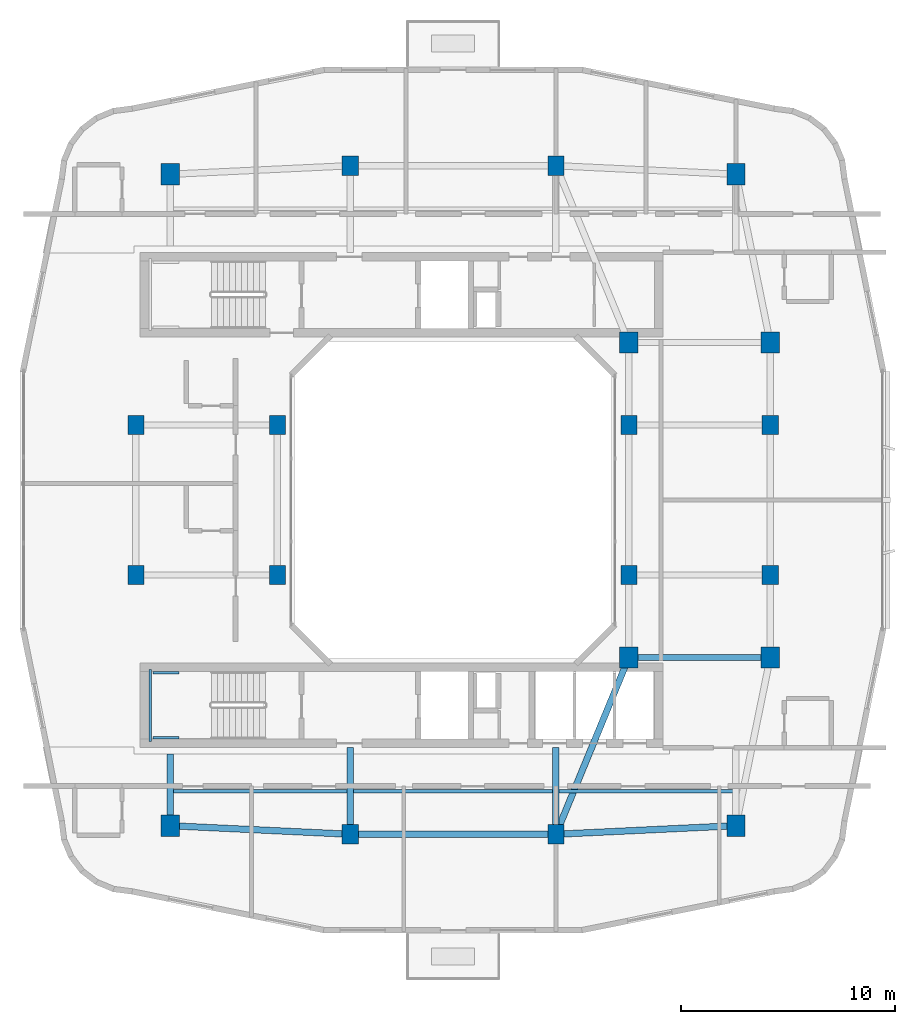
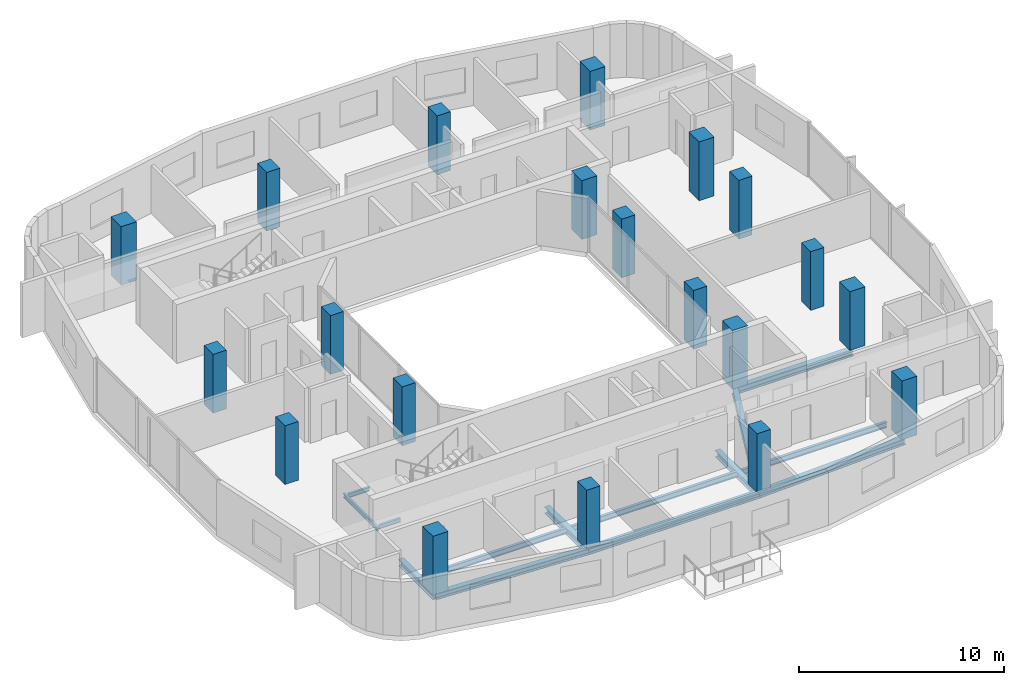
# One storey, part 1 of 12: 20 columns, 14 beams.
"""IFC4 building model written with IfcOpenShell, lengths in metres."""

from ifc_helpers import new_model, si_unit, derived_unit, direction, frame, origin, origin_2d, place, context, subcontext, project, spatial, rectangle, i_section, extrude, material, material_profile, profile_set, type_object, element, save


model = new_model("IFC4")

# Units and contexts
model_context = context("Model", 3, precision=1e-05, world=origin(), true_north=direction((0.0, 1.0)))
body_context = subcontext(model_context, "Body", "Model", "MODEL_VIEW")
ifc_project = project(units=[si_unit("LENGTHUNIT", "METRE"), si_unit("AREAUNIT", "SQUARE_METRE"), si_unit("VOLUMEUNIT", "CUBIC_METRE"), si_unit("PLANEANGLEUNIT", "RADIAN"), si_unit("MASSUNIT", "GRAM", prefix="KILO"), derived_unit("THERMALTRANSMITTANCEUNIT", [(si_unit("POWERUNIT", "WATT"), 1), (si_unit("LENGTHUNIT", "METRE"), -2), (si_unit("THERMODYNAMICTEMPERATUREUNIT", "KELVIN"), -1)])], contexts=[model_context])

# Site, building, storey
site_placement = place(None, origin())
site = spatial("IfcSite", under=ifc_project, at=site_placement, CompositionType="ELEMENT")
building_placement = place(site_placement, origin())
building = spatial("IfcBuilding", under=site, at=building_placement, Name="Kivonza Crest Hotel", CompositionType="ELEMENT")
storey_placement = place(building_placement, frame((0.0, 0.0, 166.0)))
storey = spatial("IfcBuildingStorey", under=building, at=storey_placement, Name="L45", CompositionType="ELEMENT", Elevation=166.0)

# Columns
ifc_material_1 = material(Name="Concrete C50/60", Category="concrete")
ifc_material_profile_1 = material_profile(ifc_material_1, rectangle(XDim=0.85009765625, YDim=1.0, at=origin_2d()), Name="RC 1000x850")
ifc_profile_set_1 = profile_set([ifc_material_profile_1], Name="Concrete C50/60")
column_type_1 = type_object("IfcColumnType", Name="CL-RC-1000x850", PredefinedType="COLUMN", material=ifc_profile_set_1)
for number, where, z_axis, x_axis, name in (
    (1, (7.800048828125, 9.800048828125, 0.0), (0.0, 0.0, 1.0), (1.0, 0.0, 0.0), "Tower T1 L45 column SW"),
    (2, (34.199951171875, 9.800048828125, 0.0), (0.0, 0.0, 1.0), (1.0, 0.0, 0.0), "Tower T1 L45 column SE"),
    (3, (34.199951171875, 40.199951171875, 0.0), (0.0, 0.0, 1.0), (1.0, 0.0, 0.0), "Tower T1 L45 column NE"),
    (4, (7.800048828125, 40.199951171875, 0.0), (0.0, 0.0, 1.0), (1.0, 0.0, 0.0), "Tower T1 L45 column NW"),
    (5, (35.800048828125, 17.64990234375, 0.0), (0.0, 0.0, 1.0), (1.0, 0.0, 0.0), "Tower T1 L45 column PSE"),
    (6, (35.800048828125, 32.35009765625, 0.0), (0.0, 0.0, 1.0), (1.0, 0.0, 0.0), "Tower T1 L45 column PNE"),
    (7, (29.199951171875, 17.64990234375, 0.0), (0.0, 0.0, 1.0), (1.0, 0.0, 0.0), "Tower T1 L45 column TSE"),
    (8, (29.199951171875, 32.35009765625, 0.0), (0.0, 0.0, 1.0), (1.0, 0.0, 0.0), "Tower T1 L45 column TNE"),
):
    element("IfcColumn", number, at=place(storey_placement, frame(where, z_axis=z_axis, x_axis=x_axis)), inside=storey, type_object=column_type_1, Name=name, PredefinedType="COLUMN", context=body_context, shape_type="SweptSolid", body=[
        extrude(rectangle(XDim=0.85009765625, YDim=1.0, at=origin_2d()), origin(), (0.0, 0.0, 1.0), 3.5),
    ])
ifc_material_profile_2 = material_profile(ifc_material_1, rectangle(XDim=0.75, YDim=0.89990234375, at=origin_2d()), Name="RC 900x750")
ifc_profile_set_2 = profile_set([ifc_material_profile_2], Name="Concrete C50/60")
column_type_2 = type_object("IfcColumnType", Name="CL-RC-900x750", PredefinedType="COLUMN", material=ifc_profile_set_2)
for number, where, z_axis, x_axis, name in (
    (9, (16.199951171875, 9.39990234375, 0.0), (0.0, 0.0, 1.0), (1.0, 0.0, 0.0), "Tower T1 L45 column S1"),
    (10, (25.800048828125, 9.39990234375, 0.0), (0.0, 0.0, 1.0), (1.0, 0.0, 0.0), "Tower T1 L45 column S2"),
    (11, (16.199951171875, 40.60009765625, 0.0), (0.0, 0.0, 1.0), (1.0, 0.0, 0.0), "Tower T1 L45 column N1"),
    (12, (25.800048828125, 40.60009765625, 0.0), (0.0, 0.0, 1.0), (1.0, 0.0, 0.0), "Tower T1 L45 column N2"),
    (13, (6.199951171875, 21.5, 0.0), (0.0, 0.0, 1.0), (1.0, 0.0, 0.0), "Tower T1 L45 column W1"),
    (14, (6.199951171875, 28.5, 0.0), (0.0, 0.0, 1.0), (1.0, 0.0, 0.0), "Tower T1 L45 column W2"),
    (15, (35.800048828125, 21.5, 0.0), (0.0, 0.0, 1.0), (1.0, 0.0, 0.0), "Tower T1 L45 column E1"),
    (16, (35.800048828125, 28.5, 0.0), (0.0, 0.0, 1.0), (1.0, 0.0, 0.0), "Tower T1 L45 column E2"),
    (17, (12.800048828125, 21.5, 0.0), (0.0, 0.0, 1.0), (1.0, 0.0, 0.0), "Tower T1 L45 column WL1"),
    (18, (12.800048828125, 28.5, 0.0), (0.0, 0.0, 1.0), (1.0, 0.0, 0.0), "Tower T1 L45 column WL2"),
    (19, (29.199951171875, 21.5, 0.0), (0.0, 0.0, 1.0), (1.0, 0.0, 0.0), "Tower T1 L45 column WR1"),
    (20, (29.199951171875, 28.5, 0.0), (0.0, 0.0, 1.0), (1.0, 0.0, 0.0), "Tower T1 L45 column WR2"),
):
    element("IfcColumn", number, at=place(storey_placement, frame(where, z_axis=z_axis, x_axis=x_axis)), inside=storey, type_object=column_type_2, Name=name, PredefinedType="COLUMN", context=body_context, shape_type="SweptSolid", body=[
        extrude(rectangle(XDim=0.75, YDim=0.89990234375, at=origin_2d()), origin(), (0.0, 0.0, 1.0), 3.5),
    ])

# Beams
ifc_material_2 = material(Name="Steel S355", Category="steel")
ifc_material_profile_3 = material_profile(ifc_material_2, i_section(OverallWidth=0.300048828125, OverallDepth=0.360107421875, WebThickness=0.012451171875, FlangeThickness=0.0224609375, FilletRadius=0.027099609375, at=origin_2d()), Name="HEB 360")
ifc_profile_set_3 = profile_set([ifc_material_profile_3], Name="Steel S355")
beam_type_1 = type_object("IfcBeamType", Name="BM-HEB360", PredefinedType="SPANDREL", material=ifc_profile_set_3)
beam_1_placement = place(storey_placement, frame((16.199951171875, 9.39990234375, -0.4599609375), z_axis=(1.0, 0.0, 0.0), x_axis=(0.0, 1.0, 0.0)))
element("IfcBeam", 21, at=beam_1_placement, inside=storey, type_object=beam_type_1, Name="Tower T1 L45 perimeter spandrel S1-S2", PredefinedType="SPANDREL", context=body_context, shape_type="SweptSolid", body=[
    extrude(i_section(OverallWidth=0.300048828125, OverallDepth=0.360107421875, WebThickness=0.012451171875, FlangeThickness=0.0224609375, FilletRadius=0.027099609375, at=origin_2d()), origin(), (0.0, 0.0, 1.0), 9.60009765625),
])
for number, where, z_axis, x_axis, name in (
    (22, (25.800048828125, 9.39990234375, -0.4599609375), (0.998867283688, 0.047583080799, 0.0), (-0.047583080799, 0.998867283688, 0.0), "Tower T1 L45 perimeter spandrel S2-SE"),
    (23, (7.800048828125, 9.800048828125, -0.4599609375), (0.998867283688, -0.047583080799, 0.0), (0.047583080799, 0.998867283688, 0.0), "Tower T1 L45 perimeter spandrel SW-S1"),
):
    element("IfcBeam", number, at=place(storey_placement, frame(where, z_axis=z_axis, x_axis=x_axis)), inside=storey, type_object=beam_type_1, Name=name, PredefinedType="SPANDREL", context=body_context, shape_type="SweptSolid", body=[
        extrude(i_section(OverallWidth=0.300048828125, OverallDepth=0.360107421875, WebThickness=0.012451171875, FlangeThickness=0.0224609375, FilletRadius=0.027099609375, at=origin_2d()), origin(), (0.0, 0.0, 1.0), 8.409423828125),
    ])
ifc_material_profile_4 = material_profile(ifc_material_2, i_section(OverallWidth=0.300048828125, OverallDepth=0.39990234375, WebThickness=0.013427734375, FlangeThickness=0.02392578125, FilletRadius=0.027099609375, at=origin_2d()), Name="HEB 400")
ifc_profile_set_4 = profile_set([ifc_material_profile_4], Name="Steel S355")
beam_type_2 = type_object("IfcBeamType", Name="BM-HEB400", PredefinedType="BEAM", material=ifc_profile_set_4)
beam_2_placement = place(storey_placement, frame((25.800048828125, 9.39990234375, -0.47998046875), z_axis=(0.381022260404, 0.924565864109, 0.0), x_axis=(-0.924565864109, 0.381022260404, 0.0)))
element("IfcBeam", 24, at=beam_2_placement, inside=storey, type_object=beam_type_2, Name="Tower T1 L45 primary girder S1-TSE", PredefinedType="BEAM", context=body_context, shape_type="SweptSolid", body=[
    extrude(i_section(OverallWidth=0.300048828125, OverallDepth=0.39990234375, WebThickness=0.013427734375, FlangeThickness=0.02392578125, FilletRadius=0.027099609375, at=origin_2d()), origin(), (0.0, 0.0, 1.0), 8.923095703125),
])
beam_3_placement = place(storey_placement, frame((29.199951171875, 17.64990234375, -0.47998046875), z_axis=(1.0, 0.0, 0.0), x_axis=(0.0, 1.0, 0.0)))
element("IfcBeam", 25, at=beam_3_placement, inside=storey, type_object=beam_type_2, Name="Tower T1 L45 primary girder TSE-PSE", PredefinedType="BEAM", context=body_context, shape_type="SweptSolid", body=[
    extrude(i_section(OverallWidth=0.300048828125, OverallDepth=0.39990234375, WebThickness=0.013427734375, FlangeThickness=0.02392578125, FilletRadius=0.027099609375, at=origin_2d()), origin(), (0.0, 0.0, 1.0), 6.60009765625),
])
beam_4_placement = place(storey_placement, frame((7.800048828125, 9.800048828125, -0.47998046875), z_axis=(0.0, 1.0, 0.0), x_axis=(-1.0, 0.0, 0.0)))
element("IfcBeam", 26, at=beam_4_placement, inside=storey, type_object=beam_type_2, Name="Tower T1 L45 radial core girder RSW", PredefinedType="BEAM", context=body_context, shape_type="SweptSolid", body=[
    extrude(i_section(OverallWidth=0.300048828125, OverallDepth=0.39990234375, WebThickness=0.013427734375, FlangeThickness=0.02392578125, FilletRadius=0.027099609375, at=origin_2d()), origin(), (0.0, 0.0, 1.0), 3.349853515625),
])
for number, where, z_axis, x_axis, name in (
    (27, (16.199951171875, 9.39990234375, -0.47998046875), (0.0, 1.0, 0.0), (-1.0, 0.0, 0.0), "Tower T1 L45 radial core girder RS1"),
    (28, (25.800048828125, 9.39990234375, -0.47998046875), (0.0, 1.0, 0.0), (-1.0, 0.0, 0.0), "Tower T1 L45 radial core girder RS2"),
):
    element("IfcBeam", number, at=place(storey_placement, frame(where, z_axis=z_axis, x_axis=x_axis)), inside=storey, type_object=beam_type_2, Name=name, PredefinedType="BEAM", context=body_context, shape_type="SweptSolid", body=[
        extrude(i_section(OverallWidth=0.300048828125, OverallDepth=0.39990234375, WebThickness=0.013427734375, FlangeThickness=0.02392578125, FilletRadius=0.027099609375, at=origin_2d()), origin(), (0.0, 0.0, 1.0), 4.050048828125),
    ])
ifc_material_profile_5 = material_profile(ifc_material_2, i_section(OverallWidth=0.159912109375, OverallDepth=0.330078125, WebThickness=0.007568359375, FlangeThickness=0.011474609375, FilletRadius=0.01806640625, at=origin_2d()), Name="IPE 330")
ifc_profile_set_5 = profile_set([ifc_material_profile_5], Name="Steel S355")
beam_type_3 = type_object("IfcBeamType", Name="BM-IPE330", PredefinedType="JOIST", material=ifc_profile_set_5)
beam_5_placement = place(storey_placement, frame((7.8798828125, 11.39990234375, -0.445068359375), z_axis=(1.0, 0.0, 0.0), x_axis=(0.0, 1.0, 0.0)))
element("IfcBeam", 29, at=beam_5_placement, inside=storey, type_object=beam_type_3, Name="Tower T1 L45 South-West floor joist", PredefinedType="JOIST", context=body_context, shape_type="SweptSolid", body=[
    extrude(i_section(OverallWidth=0.159912109375, OverallDepth=0.330078125, WebThickness=0.007568359375, FlangeThickness=0.011474609375, FilletRadius=0.01806640625, at=origin_2d()), origin(), (0.0, 0.0, 1.0), 8.240234375),
])
beam_6_placement = place(storey_placement, frame((16.280029296875, 11.39990234375, -0.445068359375), z_axis=(1.0, 0.0, 0.0), x_axis=(0.0, 1.0, 0.0)))
element("IfcBeam", 30, at=beam_6_placement, inside=storey, type_object=beam_type_3, Name="Tower T1 L45 South-Mid floor joist", PredefinedType="JOIST", context=body_context, shape_type="SweptSolid", body=[
    extrude(i_section(OverallWidth=0.159912109375, OverallDepth=0.330078125, WebThickness=0.007568359375, FlangeThickness=0.011474609375, FilletRadius=0.01806640625, at=origin_2d()), origin(), (0.0, 0.0, 1.0), 9.43994140625),
])
beam_7_placement = place(storey_placement, frame((25.8798828125, 11.39990234375, -0.445068359375), z_axis=(1.0, 0.0, 0.0), x_axis=(0.0, 1.0, 0.0)))
element("IfcBeam", 31, at=beam_7_placement, inside=storey, type_object=beam_type_3, Name="Tower T1 L45 South-East floor joist", PredefinedType="JOIST", context=body_context, shape_type="SweptSolid", body=[
    extrude(i_section(OverallWidth=0.159912109375, OverallDepth=0.330078125, WebThickness=0.007568359375, FlangeThickness=0.011474609375, FilletRadius=0.01806640625, at=origin_2d()), origin(), (0.0, 0.0, 1.0), 8.240234375),
])
ifc_material_profile_6 = material_profile(ifc_material_2, i_section(OverallWidth=0.1201171875, OverallDepth=0.239990234375, WebThickness=0.006103515625, FlangeThickness=0.009765625, FilletRadius=0.014892578125, at=origin_2d()), Name="IPE 240")
ifc_profile_set_6 = profile_set([ifc_material_profile_6], Name="Steel S355")
beam_type_4 = type_object("IfcBeamType", Name="BM-LLDG-240", PredefinedType="BEAM", material=ifc_profile_set_6)
beam_8_placement = place(storey_placement, frame((6.860107421875, 13.739990234375, 1.429931640625), z_axis=(0.0, 1.0, 0.0), x_axis=(-1.0, 0.0, 0.0)))
element("IfcBeam", 32, at=beam_8_placement, inside=storey, type_object=beam_type_4, Name="Stair ST-T1-S L45 West landing corbel", PredefinedType="BEAM", context=body_context, shape_type="SweptSolid", body=[
    extrude(i_section(OverallWidth=0.1201171875, OverallDepth=0.239990234375, WebThickness=0.006103515625, FlangeThickness=0.009765625, FilletRadius=0.014892578125, at=origin_2d()), origin(), (0.0, 0.0, 1.0), 3.360107421875),
])
for number, where, z_axis, x_axis, name in (
    (33, (6.989990234375, 13.89990234375, 1.429931640625), (1.0, 0.0, 0.0), (0.0, 1.0, 0.0), "Stair ST-T1-S L45 South landing corbel"),
    (34, (6.989990234375, 16.93994140625, 1.429931640625), (1.0, 0.0, 0.0), (0.0, 1.0, 0.0), "Stair ST-T1-S L45 North landing corbel"),
):
    element("IfcBeam", number, at=place(storey_placement, frame(where, z_axis=z_axis, x_axis=x_axis)), inside=storey, type_object=beam_type_4, Name=name, PredefinedType="BEAM", context=body_context, shape_type="SweptSolid", body=[
        extrude(i_section(OverallWidth=0.1201171875, OverallDepth=0.239990234375, WebThickness=0.006103515625, FlangeThickness=0.009765625, FilletRadius=0.014892578125, at=origin_2d()), origin(), (0.0, 0.0, 1.0), 1.2099609375),
    ])

save(model, "model.ifc")
